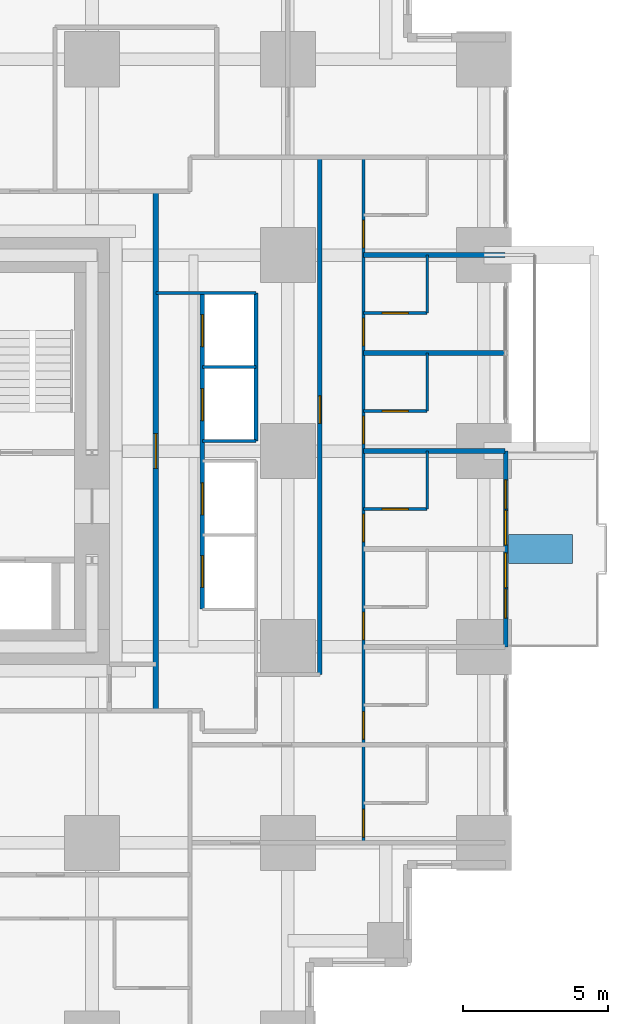
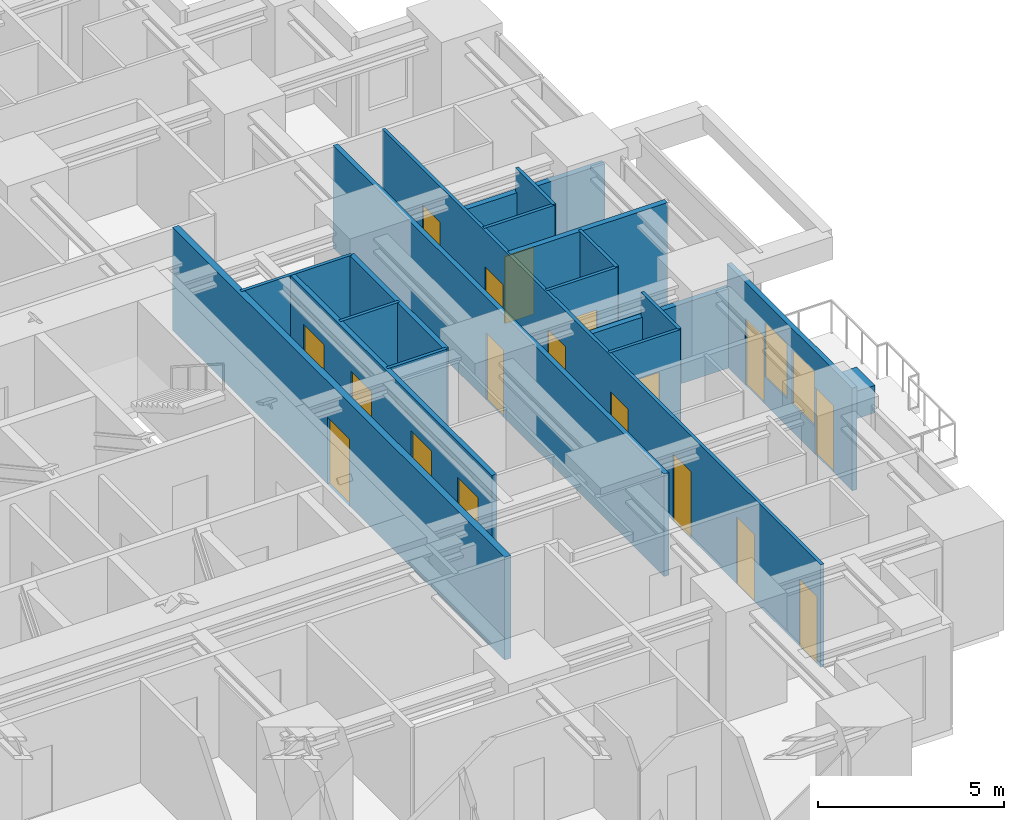
# One storey, part 11 of 15: 19 walls, 18 doors, 2 windows, 20 openings.
"""IFC4 building model written with IfcOpenShell, lengths in metres."""

from ifc_helpers import new_model, si_unit, direction, frame, frame_2d, origin, place, context, subcontext, project, spatial, rectangle, extrude, material, layer, layer_set, type_object, element, fill, save


model = new_model("IFC4")

# Units and contexts
model_context = context("Model", 3, precision=1e-05, world=origin(), true_north=direction((0.0, 1.0)))
body_context = subcontext(model_context, "Body", "Model", "MODEL_VIEW")
ifc_project = project(units=[si_unit("LENGTHUNIT", "METRE"), si_unit("AREAUNIT", "SQUARE_METRE"), si_unit("VOLUMEUNIT", "CUBIC_METRE"), si_unit("PLANEANGLEUNIT", "RADIAN"), si_unit("MASSUNIT", "GRAM", prefix="KILO")], contexts=[model_context])

# Site, building, storey
site_placement = place(None, origin())
site = spatial("IfcSite", under=ifc_project, at=site_placement, CompositionType="ELEMENT")
building_placement = place(site_placement, origin())
building = spatial("IfcBuilding", under=site, at=building_placement, Name="Nyansa Garden Tower", CompositionType="ELEMENT")
storey_placement = place(building_placement, frame((0.0, 0.0, 32.39990234375)))
storey = spatial("IfcBuildingStorey", under=building, at=storey_placement, Name="L08", CompositionType="ELEMENT", Elevation=32.39990234375)

# Walls
ifc_material_1 = material(Name="Dense blockwork, plastered both sides, 55 dB", Category="masonry")
ifc_layer_1 = layer(ifc_material_1, 0.175048828125)
ifc_layer_set_1 = layer_set([ifc_layer_1], Name="Acoustic party wall PW175")
wall_type_1 = type_object("IfcWallType", Name="Acoustic party wall PW175", PredefinedType="PARTITIONING", material=ifc_layer_set_1)
wall_1_placement = place(storey_placement, frame((36.35009765625, 20.25, 0.0), z_axis=(0.0, 0.0, 1.0), x_axis=(1.0, 0.0, 0.0)))
element("IfcWall", 1, at=wall_1_placement, inside=storey, type_object=wall_type_1, Name="Party wall", PredefinedType="PARTITIONING", context=body_context, shape_type="SweptSolid", body=[
    extrude(rectangle(XDim=4.8837890625, YDim=0.175048828125, at=frame_2d((2.44189453125, 0.0))), origin(), (0.0, 0.0, 1.0), 2.610107421875),
])
wall_2_placement = place(storey_placement, frame((36.35009765625, 23.625, 0.0), z_axis=(0.0, 0.0, 1.0), x_axis=(1.0, 0.0, 0.0)))
element("IfcWall", 2, at=wall_2_placement, inside=storey, type_object=wall_type_1, Name="Party wall", PredefinedType="PARTITIONING", context=body_context, shape_type="SweptSolid", body=[
    extrude(rectangle(XDim=4.8837890625, YDim=0.175048828125, at=frame_2d((2.44189453125, 0.0))), origin(), (0.0, 0.0, 1.0), 3.375),
])
wall_3_placement = place(storey_placement, frame((36.35009765625, 27.0, 0.0), z_axis=(0.0, 0.0, 1.0), x_axis=(1.0, 0.0, 0.0)))
element("IfcWall", 3, at=wall_3_placement, inside=storey, type_object=wall_type_1, Name="Party wall", PredefinedType="PARTITIONING", context=body_context, shape_type="SweptSolid", body=[
    extrude(rectangle(XDim=4.8837890625, YDim=0.175048828125, at=frame_2d((2.44189453125, 0.0))), origin(), (0.0, 0.0, 1.0), 2.610107421875),
])

# Wall, openings, doors, windows
ifc_material_2 = material(Name="Black aluminium framed glazed screen", Category="aluminium")
ifc_layer_2 = layer(ifc_material_2, 0.14990234375)
ifc_layer_set_2 = layer_set([ifc_layer_2], Name="Balcony screen wall BW150")
wall_type_2 = type_object("IfcWallType", Name="Balcony screen wall BW150", PredefinedType="SOLIDWALL", material=ifc_layer_set_2)
wall_4_placement = place(storey_placement, frame((41.25, 20.25, 0.0), z_axis=(0.0, 0.0, 1.0), x_axis=(0.0, -1.0, 0.0)))
wall_4 = element("IfcWall", 4, at=wall_4_placement, inside=storey, type_object=wall_type_2, Name="Glazed screen wall L08 E", PredefinedType="SOLIDWALL", context=body_context, shape_type="SweptSolid", body=[
    extrude(rectangle(XDim=6.75, YDim=0.14990234375, at=frame_2d((3.375, 0.0))), origin(), (0.0, 0.0, 1.0), 3.375),
])
opening_1_placement = place(wall_4_placement, frame((0.995849609375, 0.0, 0.0)))
opening_1 = element("IfcOpeningElement", 5, at=opening_1_placement, cuts=wall_4, Name="Opening D20", PredefinedType="OPENING", context=body_context, shape_type="SweptSolid", body=[
    extrude(rectangle(XDim=1.0, YDim=2.199951171875, at=frame_2d((0.5, 1.10009765625))), frame((0.0, 0.0849609375, 0.0), z_axis=(0.0, -1.0, 0.0), x_axis=(1.0, 0.0, 0.0)), (0.0, 0.0, 1.0), 0.169921875),
])
opening_2_placement = place(wall_4_placement, frame((2.041748046875, 0.0, 0.89990234375)))
opening_2 = element("IfcOpeningElement", 6, at=opening_2_placement, cuts=wall_4, Name="Opening W6", PredefinedType="OPENING", context=body_context, shape_type="SweptSolid", body=[
    extrude(rectangle(XDim=1.199951171875, YDim=1.800048828125, at=frame_2d((0.60009765625, 0.89990234375))), frame((0.0, 0.0849609375, 0.0), z_axis=(0.0, -1.0, 0.0), x_axis=(1.0, 0.0, 0.0)), (0.0, 0.0, 1.0), 0.169921875),
])
opening_3_placement = place(wall_4_placement, frame((4.754150390625, 0.0, 0.0)))
opening_3 = element("IfcOpeningElement", 7, at=opening_3_placement, cuts=wall_4, Name="Opening D20", PredefinedType="OPENING", context=body_context, shape_type="SweptSolid", body=[
    extrude(rectangle(XDim=1.0, YDim=2.199951171875, at=frame_2d((0.5, 1.10009765625))), frame((0.0, 0.0849609375, 0.0), z_axis=(0.0, -1.0, 0.0), x_axis=(1.0, 0.0, 0.0)), (0.0, 0.0, 1.0), 0.169921875),
])
opening_4_placement = place(wall_4_placement, frame((3.50830078125, 0.0, 0.89990234375)))
opening_4 = element("IfcOpeningElement", 8, at=opening_4_placement, cuts=wall_4, Name="Opening W6", PredefinedType="OPENING", context=body_context, shape_type="SweptSolid", body=[
    extrude(rectangle(XDim=1.199951171875, YDim=1.800048828125, at=frame_2d((0.60009765625, 0.89990234375))), frame((0.0, 0.0849609375, 0.0), z_axis=(0.0, -1.0, 0.0), x_axis=(1.0, 0.0, 0.0)), (0.0, 0.0, 1.0), 0.169921875),
])
ifc_material_3 = material(Name="Black aluminium framed glazed door", Category="aluminium")
door_type_1 = type_object("IfcDoorType", Name="Balcony door D20 1000x2200", OperationType="NOTDEFINED", PredefinedType="DOOR", material=ifc_material_3)
door_1_placement = place(opening_1_placement, origin())
door_1 = element("IfcDoor", 9, at=door_1_placement, inside=storey, type_object=door_type_1, Name="Balcony door L08", OperationType="SINGLE_SWING_LEFT", OverallHeight=2.199951171875, OverallWidth=1.0, PredefinedType="DOOR", context=body_context, shape_type="SweptSolid", body=[
    extrude(rectangle(XDim=1.0, YDim=2.199951171875, at=frame_2d((0.5, 1.10009765625))), frame((0.0, 0.02490234375, 0.0), z_axis=(0.0, -1.0, 0.0), x_axis=(1.0, 0.0, 0.0)), (0.0, 0.0, 1.0), 0.050048828125),
])
fill(opening_1, door_1)
door_2_placement = place(opening_3_placement, origin())
door_2 = element("IfcDoor", 10, at=door_2_placement, inside=storey, type_object=door_type_1, Name="Balcony door L08", OperationType="SINGLE_SWING_RIGHT", OverallHeight=2.199951171875, OverallWidth=1.0, PredefinedType="DOOR", context=body_context, shape_type="SweptSolid", body=[
    extrude(rectangle(XDim=1.0, YDim=2.199951171875, at=frame_2d((0.5, 1.10009765625))), frame((0.0, 0.02490234375, 0.0), z_axis=(0.0, -1.0, 0.0), x_axis=(1.0, 0.0, 0.0)), (0.0, 0.0, 1.0), 0.050048828125),
])
fill(opening_3, door_2)
ifc_material_4 = material(Name="Black aluminium frame, dark tinted double glazing", Category="aluminium")
window_type = type_object("IfcWindowType", Name="Balcony window W6 1200x1800", PartitioningType="SINGLE_PANEL", PredefinedType="WINDOW", material=ifc_material_4)
window_1_placement = place(opening_2_placement, origin())
window_1 = element("IfcWindow", 11, at=window_1_placement, inside=storey, type_object=window_type, Name="Window L08", OverallHeight=1.800048828125, OverallWidth=1.199951171875, PartitioningType="SINGLE_PANEL", PredefinedType="WINDOW", context=body_context, shape_type="SweptSolid", body=[
    extrude(rectangle(XDim=1.199951171875, YDim=1.800048828125, at=frame_2d((0.60009765625, 0.89990234375))), frame((0.0, 0.030029296875, 0.0), z_axis=(0.0, -1.0, 0.0), x_axis=(1.0, 0.0, 0.0)), (0.0, 0.0, 1.0), 0.06005859375),
])
fill(opening_2, window_1)
window_2_placement = place(opening_4_placement, origin())
window_2 = element("IfcWindow", 12, at=window_2_placement, inside=storey, type_object=window_type, Name="Window L08", OverallHeight=1.800048828125, OverallWidth=1.199951171875, PartitioningType="SINGLE_PANEL", PredefinedType="WINDOW", context=body_context, shape_type="SweptSolid", body=[
    extrude(rectangle(XDim=1.199951171875, YDim=1.800048828125, at=frame_2d((0.60009765625, 0.89990234375))), frame((0.0, 0.030029296875, 0.0), z_axis=(0.0, -1.0, 0.0), x_axis=(1.0, 0.0, 0.0)), (0.0, 0.0, 1.0), 0.06005859375),
])
fill(opening_4, window_2)

# Wall, opening, door
ifc_material_5 = material(Name="Concrete blockwork, plastered, 60 minute fire resisting", Category="masonry")
ifc_layer_3 = layer(ifc_material_5, 0.199951171875)
ifc_layer_set_3 = layer_set([ifc_layer_3], Name="Corridor wall FW200")
wall_type_3 = type_object("IfcWallType", Name="Corridor wall FW200", PredefinedType="PARTITIONING", material=ifc_layer_set_3)
wall_5_placement = place(storey_placement, frame((29.199951171875, 11.300048828125, 0.0), z_axis=(0.0, 0.0, 1.0), x_axis=(0.0, 1.0, 0.0)))
wall_5 = element("IfcWall", 13, at=wall_5_placement, inside=storey, type_object=wall_type_3, Name="Corridor wall", PredefinedType="PARTITIONING", context=body_context, shape_type="SweptSolid", body=[
    extrude(rectangle(XDim=17.89990234375, YDim=0.199951171875, at=frame_2d((8.949951171875, 0.0))), origin(), (0.0, 0.0, 1.0), 3.375),
])
opening_5_placement = place(wall_5_placement, frame((8.35009765625, 0.0, 0.0)))
opening_5 = element("IfcOpeningElement", 14, at=opening_5_placement, cuts=wall_5, Name="Opening D06", PredefinedType="OPENING", context=body_context, shape_type="SweptSolid", body=[
    extrude(rectangle(XDim=1.199951171875, YDim=2.199951171875, at=frame_2d((0.60009765625, 1.10009765625))), frame((0.0, 0.10986328125, 0.0), z_axis=(0.0, -1.0, 0.0), x_axis=(1.0, 0.0, 0.0)), (0.0, 0.0, 1.0), 0.219970703125),
])
ifc_material_6 = material(Name="Steel door, 120 minute fire resisting", Category="steel")
door_type_2 = type_object("IfcDoorType", Name="Lobby door D06 1200x2200", OperationType="DOUBLE_DOOR_SINGLE_SWING", PredefinedType="DOOR", material=ifc_material_6)
door_3_placement = place(opening_5_placement, origin())
door_3 = element("IfcDoor", 15, at=door_3_placement, inside=storey, type_object=door_type_2, Name="Low-rise lift lobby door", OperationType="DOUBLE_DOOR_SINGLE_SWING", OverallHeight=2.199951171875, OverallWidth=1.199951171875, PredefinedType="DOOR", context=body_context, shape_type="SweptSolid", body=[
    extrude(rectangle(XDim=1.199951171875, YDim=2.199951171875, at=frame_2d((0.60009765625, 1.10009765625))), frame((0.0, 0.02490234375, 0.0), z_axis=(0.0, -1.0, 0.0), x_axis=(1.0, 0.0, 0.0)), (0.0, 0.0, 1.0), 0.050048828125),
])
fill(opening_5, door_3)

# Walls
ifc_material_7 = material(Name="Steel-stud shaft wall, two layers fire-rated board, EI 120", Category="steel")
ifc_layer_4 = layer(ifc_material_7, 0.10009765625)
ifc_layer_set_4 = layer_set([ifc_layer_4], Name="Lift shaft wall SW100")
wall_type_4 = type_object("IfcWallType", Name="Lift shaft wall SW100", PredefinedType="SHEAR", material=ifc_layer_set_4)
wall_6_placement = place(storey_placement, frame((29.199951171875, 25.699951171875, 0.0), z_axis=(0.0, 0.0, 1.0), x_axis=(1.0, 0.0, 0.0)))
element("IfcWall", 16, at=wall_6_placement, inside=storey, type_object=wall_type_4, Name="Lift shaft wall", PredefinedType="SHEAR", context=body_context, shape_type="SweptSolid", body=[
    extrude(rectangle(XDim=3.449951171875, YDim=0.10009765625, at=frame_2d((1.72509765625, 0.0))), origin(), (0.0, 0.0, 1.0), 3.375),
])
for number, where, z_axis, x_axis, name in (
    (17, (30.800048828125, 20.60009765625, 0.0), (0.0, 0.0, 1.0), (1.0, 0.0, 0.0), "Lift shaft wall"),
    (18, (30.800048828125, 23.14990234375, 0.0), (0.0, 0.0, 1.0), (1.0, 0.0, 0.0), "Lift shaft wall"),
):
    element("IfcWall", number, at=place(storey_placement, frame(where, z_axis=z_axis, x_axis=x_axis)), inside=storey, type_object=wall_type_4, Name=name, PredefinedType="SHEAR", context=body_context, shape_type="SweptSolid", body=[
        extrude(rectangle(XDim=1.849853515625, YDim=0.10009765625, at=frame_2d((0.9248046875, 0.0))), origin(), (0.0, 0.0, 1.0), 3.375),
    ])

# Wall, openings, doors
ifc_material_8 = material(Name="Blockwork, plastered both sides", Category="masonry")
ifc_layer_5 = layer(ifc_material_8, 0.14990234375)
ifc_layer_set_5 = layer_set([ifc_layer_5], Name="Partition PW150")
wall_type_5 = type_object("IfcWallType", Name="Partition PW150", PredefinedType="PARTITIONING", material=ifc_layer_set_5)
wall_7_placement = place(storey_placement, frame((30.800048828125, 14.800048828125, 0.0), z_axis=(0.0, 0.0, 1.0), x_axis=(0.0, 1.0, 0.0)))
wall_7 = element("IfcWall", 19, at=wall_7_placement, inside=storey, type_object=wall_type_5, Name="Partition", PredefinedType="PARTITIONING", context=body_context, shape_type="SweptSolid", body=[
    extrude(rectangle(XDim=10.89990234375, YDim=0.14990234375, at=frame_2d((5.449951171875, 0.0))), origin(), (0.0, 0.0, 1.0), 3.375),
])
opening_6_placement = place(wall_7_placement, frame((0.75, 0.0, 0.0)))
opening_6 = element("IfcOpeningElement", 20, at=opening_6_placement, cuts=wall_7, Name="Opening LD-A", PredefinedType="OPENING", context=body_context, shape_type="SweptSolid", body=[
    extrude(rectangle(XDim=1.10009765625, YDim=2.199951171875, at=frame_2d((0.550048828125, 1.10009765625))), frame((0.0, 0.0849609375, 0.0), z_axis=(0.0, -1.0, 0.0), x_axis=(1.0, 0.0, 0.0)), (0.0, 0.0, 1.0), 0.169921875),
])
opening_7_placement = place(wall_7_placement, frame((3.25, 0.0, 0.0)))
opening_7 = element("IfcOpeningElement", 21, at=opening_7_placement, cuts=wall_7, Name="Opening LD-A", PredefinedType="OPENING", context=body_context, shape_type="SweptSolid", body=[
    extrude(rectangle(XDim=1.10009765625, YDim=2.199951171875, at=frame_2d((0.550048828125, 1.10009765625))), frame((0.0, 0.0849609375, 0.0), z_axis=(0.0, -1.0, 0.0), x_axis=(1.0, 0.0, 0.0)), (0.0, 0.0, 1.0), 0.169921875),
])
opening_8_placement = place(wall_7_placement, frame((6.5, 0.0, 0.0)))
opening_8 = element("IfcOpeningElement", 22, at=opening_8_placement, cuts=wall_7, Name="Opening LD-A", PredefinedType="OPENING", context=body_context, shape_type="SweptSolid", body=[
    extrude(rectangle(XDim=1.10009765625, YDim=2.199951171875, at=frame_2d((0.550048828125, 1.10009765625))), frame((0.0, 0.0849609375, 0.0), z_axis=(0.0, -1.0, 0.0), x_axis=(1.0, 0.0, 0.0)), (0.0, 0.0, 1.0), 0.169921875),
])
opening_9_placement = place(wall_7_placement, frame((9.050048828125, 0.0, 0.0)))
opening_9 = element("IfcOpeningElement", 23, at=opening_9_placement, cuts=wall_7, Name="Opening LD-A", PredefinedType="OPENING", context=body_context, shape_type="SweptSolid", body=[
    extrude(rectangle(XDim=1.10009765625, YDim=2.199951171875, at=frame_2d((0.550048828125, 1.10009765625))), frame((0.0, 0.0849609375, 0.0), z_axis=(0.0, -1.0, 0.0), x_axis=(1.0, 0.0, 0.0)), (0.0, 0.0, 1.0), 0.169921875),
])
ifc_material_9 = material(Name="Stainless steel centre-opening landing door of the low-rise lift, E 120", Category="steel")
door_type_3 = type_object("IfcDoorType", Name="Lift landing door LD-A 1100x2200", OperationType="DOUBLE_DOOR_SLIDING", PredefinedType="DOOR", material=ifc_material_9)
door_4_placement = place(opening_6_placement, origin())
door_4 = element("IfcDoor", 24, at=door_4_placement, inside=storey, type_object=door_type_3, Name="Landing door A1", OperationType="DOUBLE_DOOR_SLIDING", OverallHeight=2.199951171875, OverallWidth=1.10009765625, PredefinedType="DOOR", context=body_context, shape_type="SweptSolid", body=[
    extrude(rectangle(XDim=1.10009765625, YDim=2.199951171875, at=frame_2d((0.550048828125, 1.10009765625))), frame((0.0, 0.02490234375, 0.0), z_axis=(0.0, -1.0, 0.0), x_axis=(1.0, 0.0, 0.0)), (0.0, 0.0, 1.0), 0.050048828125),
])
fill(opening_6, door_4)
door_5_placement = place(opening_7_placement, origin())
door_5 = element("IfcDoor", 25, at=door_5_placement, inside=storey, type_object=door_type_3, Name="Landing door A2", OperationType="DOUBLE_DOOR_SLIDING", OverallHeight=2.199951171875, OverallWidth=1.10009765625, PredefinedType="DOOR", context=body_context, shape_type="SweptSolid", body=[
    extrude(rectangle(XDim=1.10009765625, YDim=2.199951171875, at=frame_2d((0.550048828125, 1.10009765625))), frame((0.0, 0.02490234375, 0.0), z_axis=(0.0, -1.0, 0.0), x_axis=(1.0, 0.0, 0.0)), (0.0, 0.0, 1.0), 0.050048828125),
])
fill(opening_7, door_5)
door_6_placement = place(opening_8_placement, origin())
door_6 = element("IfcDoor", 26, at=door_6_placement, inside=storey, type_object=door_type_3, Name="Landing door A3", OperationType="DOUBLE_DOOR_SLIDING", OverallHeight=2.199951171875, OverallWidth=1.10009765625, PredefinedType="DOOR", context=body_context, shape_type="SweptSolid", body=[
    extrude(rectangle(XDim=1.10009765625, YDim=2.199951171875, at=frame_2d((0.550048828125, 1.10009765625))), frame((0.0, 0.02490234375, 0.0), z_axis=(0.0, -1.0, 0.0), x_axis=(1.0, 0.0, 0.0)), (0.0, 0.0, 1.0), 0.050048828125),
])
fill(opening_8, door_6)
door_7_placement = place(opening_9_placement, origin())
door_7 = element("IfcDoor", 27, at=door_7_placement, inside=storey, type_object=door_type_3, Name="Landing door A4", OperationType="DOUBLE_DOOR_SLIDING", OverallHeight=2.199951171875, OverallWidth=1.10009765625, PredefinedType="DOOR", context=body_context, shape_type="SweptSolid", body=[
    extrude(rectangle(XDim=1.10009765625, YDim=2.199951171875, at=frame_2d((0.550048828125, 1.10009765625))), frame((0.0, 0.02490234375, 0.0), z_axis=(0.0, -1.0, 0.0), x_axis=(1.0, 0.0, 0.0)), (0.0, 0.0, 1.0), 0.050048828125),
])
fill(opening_9, door_7)

# Wall
wall_8_placement = place(storey_placement, frame((32.64990234375, 20.60009765625, 0.0), z_axis=(0.0, 0.0, 1.0), x_axis=(0.0, 1.0, 0.0)))
element("IfcWall", 28, at=wall_8_placement, inside=storey, type_object=wall_type_5, Name="Partition", PredefinedType="PARTITIONING", context=body_context, shape_type="SweptSolid", body=[
    extrude(rectangle(XDim=5.099853515625, YDim=0.14990234375, at=frame_2d((2.5498046875, 0.0))), origin(), (0.0, 0.0, 1.0), 3.375),
])

# Wall, opening, door
wall_9_placement = place(storey_placement, frame((34.85009765625, 12.550048828125, 0.0), z_axis=(0.0, 0.0, 1.0), x_axis=(0.0, 1.0, 0.0)))
wall_9 = element("IfcWall", 29, at=wall_9_placement, inside=storey, type_object=wall_type_5, Name="Partition", PredefinedType="PARTITIONING", context=body_context, shape_type="SweptSolid", body=[
    extrude(rectangle(XDim=17.824951171875, YDim=0.14990234375, at=frame_2d((8.91259765625, 0.0))), origin(), (0.0, 0.0, 1.0), 3.375),
])
opening_10_placement = place(wall_9_placement, frame((8.64990234375, 0.0, 0.0)))
opening_10 = element("IfcOpeningElement", 30, at=opening_10_placement, cuts=wall_9, Name="Opening D01", PredefinedType="OPENING", context=body_context, shape_type="SweptSolid", body=[
    extrude(rectangle(XDim=0.949951171875, YDim=2.199951171875, at=frame_2d((0.47509765625, 1.10009765625))), frame((0.0, 0.0849609375, 0.0), z_axis=(0.0, -1.0, 0.0), x_axis=(1.0, 0.0, 0.0)), (0.0, 0.0, 1.0), 0.169921875),
])
ifc_material_10 = material(Name="Timber flush door, 30 minute fire resisting", Category="wood")
door_type_4 = type_object("IfcDoorType", Name="Bedroom door D01 950x2200", OperationType="SINGLE_SWING_LEFT", PredefinedType="DOOR", material=ifc_material_10)
door_8_placement = place(opening_10_placement, origin())
door_8 = element("IfcDoor", 31, at=door_8_placement, inside=storey, type_object=door_type_4, Name="Door L08-048", OperationType="SINGLE_SWING_LEFT", OverallHeight=2.199951171875, OverallWidth=0.949951171875, PredefinedType="DOOR", context=body_context, shape_type="SweptSolid", body=[
    extrude(rectangle(XDim=0.949951171875, YDim=2.199951171875, at=frame_2d((0.47509765625, 1.10009765625))), frame((0.0, 0.02490234375, 0.0), z_axis=(0.0, -1.0, 0.0), x_axis=(1.0, 0.0, 0.0)), (0.0, 0.0, 1.0), 0.050048828125),
])
fill(opening_10, door_8)

# Wall
ifc_material_11 = material(Name="Concrete C40/50 planter, waterproofed", Category="concrete")
ifc_layer_6 = layer(ifc_material_11, 1.0)
ifc_layer_set_6 = layer_set([ifc_layer_6], Name="Tree planter TP1")
wall_type_6 = type_object("IfcWallType", Name="Tree planter TP1", PredefinedType="USERDEFINED", material=ifc_layer_set_6)
wall_10_placement = place(storey_placement, frame((41.35009765625, 16.875, 0.0), z_axis=(0.0, 0.0, 1.0), x_axis=(1.0, 0.0, 0.0)))
element("IfcWall", 32, at=wall_10_placement, inside=storey, type_object=wall_type_6, Name="Tree planter L08", ObjectType="TREE PLANTER", PredefinedType="USERDEFINED", context=body_context, shape_type="SweptSolid", body=[
    extrude(rectangle(XDim=2.199951171875, YDim=1.0, at=frame_2d((1.10009765625, 0.0))), origin(), (0.0, 0.0, 1.0), 0.900146484375),
])

# Wall, openings, doors
ifc_material_12 = material(Name="Moisture resistant board on steel studs, tiled", Category="steel")
ifc_layer_7 = layer(ifc_material_12, 0.10009765625)
ifc_layer_set_7 = layer_set([ifc_layer_7], Name="Wet wall PW100")
wall_type_7 = type_object("IfcWallType", Name="Wet wall PW100", PredefinedType="PARTITIONING", material=ifc_layer_set_7)
wall_11_placement = place(storey_placement, frame((36.35009765625, 6.75, 0.0), z_axis=(0.0, 0.0, 1.0), x_axis=(0.0, 1.0, 0.0)))
wall_11 = element("IfcWall", 33, at=wall_11_placement, inside=storey, type_object=wall_type_7, Name="Wet wall", PredefinedType="PARTITIONING", context=body_context, shape_type="SweptSolid", body=[
    extrude(rectangle(XDim=23.625, YDim=0.10009765625, at=frame_2d((11.8125, 0.0))), origin(), (0.0, 0.0, 1.0), 3.375),
])
opening_11_placement = place(wall_11_placement, frame((0.199951171875, 0.0, 0.0)))
opening_11 = element("IfcOpeningElement", 34, at=opening_11_placement, cuts=wall_11, Name="Opening D01", PredefinedType="OPENING", context=body_context, shape_type="SweptSolid", body=[
    extrude(rectangle(XDim=0.949951171875, YDim=2.199951171875, at=frame_2d((0.47509765625, 1.10009765625))), frame((0.0, 0.06005859375, 0.0), z_axis=(0.0, -1.0, 0.0), x_axis=(1.0, 0.0, 0.0)), (0.0, 0.0, 1.0), 0.1201171875),
])
opening_12_placement = place(wall_11_placement, frame((3.574951171875, 0.0, 0.0)))
opening_12 = element("IfcOpeningElement", 35, at=opening_12_placement, cuts=wall_11, Name="Opening D14", PredefinedType="OPENING", context=body_context, shape_type="SweptSolid", body=[
    extrude(rectangle(XDim=0.949951171875, YDim=2.199951171875, at=frame_2d((0.47509765625, 1.10009765625))), frame((0.0, 0.06005859375, 0.0), z_axis=(0.0, -1.0, 0.0), x_axis=(1.0, 0.0, 0.0)), (0.0, 0.0, 1.0), 0.1201171875),
])
opening_13_placement = place(wall_11_placement, frame((7.0, 0.0, 0.0)))
opening_13 = element("IfcOpeningElement", 36, at=opening_13_placement, cuts=wall_11, Name="Opening D14", PredefinedType="OPENING", context=body_context, shape_type="SweptSolid", body=[
    extrude(rectangle(XDim=0.949951171875, YDim=2.199951171875, at=frame_2d((0.47509765625, 1.10009765625))), frame((0.0, 0.06005859375, 0.0), z_axis=(0.0, -1.0, 0.0), x_axis=(1.0, 0.0, 0.0)), (0.0, 0.0, 1.0), 0.1201171875),
])
opening_14_placement = place(wall_11_placement, frame((10.375, 0.0, 0.0)))
opening_14 = element("IfcOpeningElement", 37, at=opening_14_placement, cuts=wall_11, Name="Opening D14", PredefinedType="OPENING", context=body_context, shape_type="SweptSolid", body=[
    extrude(rectangle(XDim=0.949951171875, YDim=2.199951171875, at=frame_2d((0.47509765625, 1.10009765625))), frame((0.0, 0.06005859375, 0.0), z_axis=(0.0, -1.0, 0.0), x_axis=(1.0, 0.0, 0.0)), (0.0, 0.0, 1.0), 0.1201171875),
])
opening_15_placement = place(wall_11_placement, frame((13.75, 0.0, 0.0)))
opening_15 = element("IfcOpeningElement", 38, at=opening_15_placement, cuts=wall_11, Name="Opening D14", PredefinedType="OPENING", context=body_context, shape_type="SweptSolid", body=[
    extrude(rectangle(XDim=0.949951171875, YDim=2.199951171875, at=frame_2d((0.47509765625, 1.10009765625))), frame((0.0, 0.06005859375, 0.0), z_axis=(0.0, -1.0, 0.0), x_axis=(1.0, 0.0, 0.0)), (0.0, 0.0, 1.0), 0.1201171875),
])
opening_16_placement = place(wall_11_placement, frame((17.125, 0.0, 0.0)))
opening_16 = element("IfcOpeningElement", 39, at=opening_16_placement, cuts=wall_11, Name="Opening D14", PredefinedType="OPENING", context=body_context, shape_type="SweptSolid", body=[
    extrude(rectangle(XDim=0.949951171875, YDim=2.199951171875, at=frame_2d((0.47509765625, 1.10009765625))), frame((0.0, 0.06005859375, 0.0), z_axis=(0.0, -1.0, 0.0), x_axis=(1.0, 0.0, 0.0)), (0.0, 0.0, 1.0), 0.1201171875),
])
opening_17_placement = place(wall_11_placement, frame((20.5, 0.0, 0.0)))
opening_17 = element("IfcOpeningElement", 40, at=opening_17_placement, cuts=wall_11, Name="Opening D14", PredefinedType="OPENING", context=body_context, shape_type="SweptSolid", body=[
    extrude(rectangle(XDim=0.949951171875, YDim=2.199951171875, at=frame_2d((0.47509765625, 1.10009765625))), frame((0.0, 0.06005859375, 0.0), z_axis=(0.0, -1.0, 0.0), x_axis=(1.0, 0.0, 0.0)), (0.0, 0.0, 1.0), 0.1201171875),
])
door_9_placement = place(opening_11_placement, origin())
door_9 = element("IfcDoor", 41, at=door_9_placement, inside=storey, type_object=door_type_4, Name="Door L08-032", OperationType="SINGLE_SWING_LEFT", OverallHeight=2.199951171875, OverallWidth=0.949951171875, PredefinedType="DOOR", context=body_context, shape_type="SweptSolid", body=[
    extrude(rectangle(XDim=0.949951171875, YDim=2.199951171875, at=frame_2d((0.47509765625, 1.10009765625))), frame((0.0, 0.02490234375, 0.0), z_axis=(0.0, -1.0, 0.0), x_axis=(1.0, 0.0, 0.0)), (0.0, 0.0, 1.0), 0.050048828125),
])
fill(opening_11, door_9)
ifc_material_13 = material(Name="Timber flush door, 60 minute fire resisting, self-closing", Category="wood")
door_type_5 = type_object("IfcDoorType", Name="Studio entrance door D14 950x2200", OperationType="SINGLE_SWING_LEFT", PredefinedType="DOOR", material=ifc_material_13)
door_10_placement = place(opening_12_placement, origin())
door_10 = element("IfcDoor", 42, at=door_10_placement, inside=storey, type_object=door_type_5, Name="Door L08-035", OperationType="SINGLE_SWING_LEFT", OverallHeight=2.199951171875, OverallWidth=0.949951171875, PredefinedType="DOOR", context=body_context, shape_type="SweptSolid", body=[
    extrude(rectangle(XDim=0.949951171875, YDim=2.199951171875, at=frame_2d((0.47509765625, 1.10009765625))), frame((0.0, 0.02490234375, 0.0), z_axis=(0.0, -1.0, 0.0), x_axis=(1.0, 0.0, 0.0)), (0.0, 0.0, 1.0), 0.050048828125),
])
fill(opening_12, door_10)
door_11_placement = place(opening_13_placement, origin())
door_11 = element("IfcDoor", 43, at=door_11_placement, inside=storey, type_object=door_type_5, Name="Door L08-037", OperationType="SINGLE_SWING_LEFT", OverallHeight=2.199951171875, OverallWidth=0.949951171875, PredefinedType="DOOR", context=body_context, shape_type="SweptSolid", body=[
    extrude(rectangle(XDim=0.949951171875, YDim=2.199951171875, at=frame_2d((0.47509765625, 1.10009765625))), frame((0.0, 0.02490234375, 0.0), z_axis=(0.0, -1.0, 0.0), x_axis=(1.0, 0.0, 0.0)), (0.0, 0.0, 1.0), 0.050048828125),
])
fill(opening_13, door_11)
door_12_placement = place(opening_14_placement, origin())
door_12 = element("IfcDoor", 44, at=door_12_placement, inside=storey, type_object=door_type_5, Name="Door L08-039", OperationType="SINGLE_SWING_LEFT", OverallHeight=2.199951171875, OverallWidth=0.949951171875, PredefinedType="DOOR", context=body_context, shape_type="SweptSolid", body=[
    extrude(rectangle(XDim=0.949951171875, YDim=2.199951171875, at=frame_2d((0.47509765625, 1.10009765625))), frame((0.0, 0.02490234375, 0.0), z_axis=(0.0, -1.0, 0.0), x_axis=(1.0, 0.0, 0.0)), (0.0, 0.0, 1.0), 0.050048828125),
])
fill(opening_14, door_12)
door_13_placement = place(opening_15_placement, origin())
door_13 = element("IfcDoor", 45, at=door_13_placement, inside=storey, type_object=door_type_5, Name="Door L08-041", OperationType="SINGLE_SWING_LEFT", OverallHeight=2.199951171875, OverallWidth=0.949951171875, PredefinedType="DOOR", context=body_context, shape_type="SweptSolid", body=[
    extrude(rectangle(XDim=0.949951171875, YDim=2.199951171875, at=frame_2d((0.47509765625, 1.10009765625))), frame((0.0, 0.02490234375, 0.0), z_axis=(0.0, -1.0, 0.0), x_axis=(1.0, 0.0, 0.0)), (0.0, 0.0, 1.0), 0.050048828125),
])
fill(opening_15, door_13)
door_14_placement = place(opening_16_placement, origin())
door_14 = element("IfcDoor", 46, at=door_14_placement, inside=storey, type_object=door_type_5, Name="Door L08-043", OperationType="SINGLE_SWING_LEFT", OverallHeight=2.199951171875, OverallWidth=0.949951171875, PredefinedType="DOOR", context=body_context, shape_type="SweptSolid", body=[
    extrude(rectangle(XDim=0.949951171875, YDim=2.199951171875, at=frame_2d((0.47509765625, 1.10009765625))), frame((0.0, 0.02490234375, 0.0), z_axis=(0.0, -1.0, 0.0), x_axis=(1.0, 0.0, 0.0)), (0.0, 0.0, 1.0), 0.050048828125),
])
fill(opening_16, door_14)
door_15_placement = place(opening_17_placement, origin())
door_15 = element("IfcDoor", 47, at=door_15_placement, inside=storey, type_object=door_type_5, Name="Door L08-045", OperationType="SINGLE_SWING_LEFT", OverallHeight=2.199951171875, OverallWidth=0.949951171875, PredefinedType="DOOR", context=body_context, shape_type="SweptSolid", body=[
    extrude(rectangle(XDim=0.949951171875, YDim=2.199951171875, at=frame_2d((0.47509765625, 1.10009765625))), frame((0.0, 0.02490234375, 0.0), z_axis=(0.0, -1.0, 0.0), x_axis=(1.0, 0.0, 0.0)), (0.0, 0.0, 1.0), 0.050048828125),
])
fill(opening_17, door_15)

# Wall, opening, door
wall_12_placement = place(storey_placement, frame((36.35009765625, 18.25, 0.0), z_axis=(0.0, 0.0, 1.0), x_axis=(1.0, 0.0, 0.0)))
wall_12 = element("IfcWall", 48, at=wall_12_placement, inside=storey, type_object=wall_type_7, Name="Wet wall", PredefinedType="PARTITIONING", context=body_context, shape_type="SweptSolid", body=[
    extrude(rectangle(XDim=2.199951171875, YDim=0.10009765625, at=frame_2d((1.10009765625, 0.0))), origin(), (0.0, 0.0, 1.0), 3.375),
])
opening_18_placement = place(wall_12_placement, frame((0.64990234375, 0.0, 0.0)))
opening_18 = element("IfcOpeningElement", 49, at=opening_18_placement, cuts=wall_12, Name="Opening D02", PredefinedType="OPENING", context=body_context, shape_type="SweptSolid", body=[
    extrude(rectangle(XDim=0.89990234375, YDim=2.199951171875, at=frame_2d((0.449951171875, 1.10009765625))), frame((0.0, 0.06005859375, 0.0), z_axis=(0.0, -1.0, 0.0), x_axis=(1.0, 0.0, 0.0)), (0.0, 0.0, 1.0), 0.1201171875),
])
ifc_material_14 = material(Name="Timber flush door", Category="wood")
door_type_6 = type_object("IfcDoorType", Name="En-suite door D02 900x2200", OperationType="SINGLE_SWING_RIGHT", PredefinedType="DOOR", material=ifc_material_14)
door_16_placement = place(opening_18_placement, origin())
door_16 = element("IfcDoor", 50, at=door_16_placement, inside=storey, type_object=door_type_6, Name="Door L08-040", OperationType="SINGLE_SWING_RIGHT", OverallHeight=2.199951171875, OverallWidth=0.89990234375, PredefinedType="DOOR", context=body_context, shape_type="SweptSolid", body=[
    extrude(rectangle(XDim=0.89990234375, YDim=2.199951171875, at=frame_2d((0.449951171875, 1.10009765625))), frame((0.0, 0.02490234375, 0.0), z_axis=(0.0, -1.0, 0.0), x_axis=(1.0, 0.0, 0.0)), (0.0, 0.0, 1.0), 0.050048828125),
])
fill(opening_18, door_16)

wall_13_placement = place(storey_placement, frame((36.35009765625, 21.625, 0.0), z_axis=(0.0, 0.0, 1.0), x_axis=(1.0, 0.0, 0.0)))
wall_13 = element("IfcWall", 51, at=wall_13_placement, inside=storey, type_object=wall_type_7, Name="Wet wall", PredefinedType="PARTITIONING", context=body_context, shape_type="SweptSolid", body=[
    extrude(rectangle(XDim=2.199951171875, YDim=0.10009765625, at=frame_2d((1.10009765625, 0.0))), origin(), (0.0, 0.0, 1.0), 3.375),
])
opening_19_placement = place(wall_13_placement, frame((0.64990234375, 0.0, 0.0)))
opening_19 = element("IfcOpeningElement", 52, at=opening_19_placement, cuts=wall_13, Name="Opening D02", PredefinedType="OPENING", context=body_context, shape_type="SweptSolid", body=[
    extrude(rectangle(XDim=0.89990234375, YDim=2.199951171875, at=frame_2d((0.449951171875, 1.10009765625))), frame((0.0, 0.06005859375, 0.0), z_axis=(0.0, -1.0, 0.0), x_axis=(1.0, 0.0, 0.0)), (0.0, 0.0, 1.0), 0.1201171875),
])
door_17_placement = place(opening_19_placement, origin())
door_17 = element("IfcDoor", 53, at=door_17_placement, inside=storey, type_object=door_type_6, Name="Door L08-042", OperationType="SINGLE_SWING_RIGHT", OverallHeight=2.199951171875, OverallWidth=0.89990234375, PredefinedType="DOOR", context=body_context, shape_type="SweptSolid", body=[
    extrude(rectangle(XDim=0.89990234375, YDim=2.199951171875, at=frame_2d((0.449951171875, 1.10009765625))), frame((0.0, 0.02490234375, 0.0), z_axis=(0.0, -1.0, 0.0), x_axis=(1.0, 0.0, 0.0)), (0.0, 0.0, 1.0), 0.050048828125),
])
fill(opening_19, door_17)

wall_14_placement = place(storey_placement, frame((36.35009765625, 25.0, 0.0), z_axis=(0.0, 0.0, 1.0), x_axis=(1.0, 0.0, 0.0)))
wall_14 = element("IfcWall", 54, at=wall_14_placement, inside=storey, type_object=wall_type_7, Name="Wet wall", PredefinedType="PARTITIONING", context=body_context, shape_type="SweptSolid", body=[
    extrude(rectangle(XDim=2.199951171875, YDim=0.10009765625, at=frame_2d((1.10009765625, 0.0))), origin(), (0.0, 0.0, 1.0), 3.375),
])
opening_20_placement = place(wall_14_placement, frame((0.64990234375, 0.0, 0.0)))
opening_20 = element("IfcOpeningElement", 55, at=opening_20_placement, cuts=wall_14, Name="Opening D02", PredefinedType="OPENING", context=body_context, shape_type="SweptSolid", body=[
    extrude(rectangle(XDim=0.89990234375, YDim=2.199951171875, at=frame_2d((0.449951171875, 1.10009765625))), frame((0.0, 0.06005859375, 0.0), z_axis=(0.0, -1.0, 0.0), x_axis=(1.0, 0.0, 0.0)), (0.0, 0.0, 1.0), 0.1201171875),
])
door_18_placement = place(opening_20_placement, origin())
door_18 = element("IfcDoor", 56, at=door_18_placement, inside=storey, type_object=door_type_6, Name="Door L08-044", OperationType="SINGLE_SWING_RIGHT", OverallHeight=2.199951171875, OverallWidth=0.89990234375, PredefinedType="DOOR", context=body_context, shape_type="SweptSolid", body=[
    extrude(rectangle(XDim=0.89990234375, YDim=2.199951171875, at=frame_2d((0.449951171875, 1.10009765625))), frame((0.0, 0.02490234375, 0.0), z_axis=(0.0, -1.0, 0.0), x_axis=(1.0, 0.0, 0.0)), (0.0, 0.0, 1.0), 0.050048828125),
])
fill(opening_20, door_18)

# Walls
for number, where, z_axis, x_axis, name in (
    (57, (38.550048828125, 18.25, 0.0), (0.0, 0.0, 1.0), (0.0, 1.0, 0.0), "Wet wall"),
    (58, (38.550048828125, 21.625, 0.0), (0.0, 0.0, 1.0), (0.0, 1.0, 0.0), "Wet wall"),
    (59, (38.550048828125, 25.0, 0.0), (0.0, 0.0, 1.0), (0.0, 1.0, 0.0), "Wet wall"),
):
    element("IfcWall", number, at=place(storey_placement, frame(where, z_axis=z_axis, x_axis=x_axis)), inside=storey, type_object=wall_type_7, Name=name, PredefinedType="PARTITIONING", context=body_context, shape_type="SweptSolid", body=[
        extrude(rectangle(XDim=2.0, YDim=0.10009765625, at=frame_2d((1.0, 0.0))), origin(), (0.0, 0.0, 1.0), 3.375),
    ])

save(model, "model.ifc")
